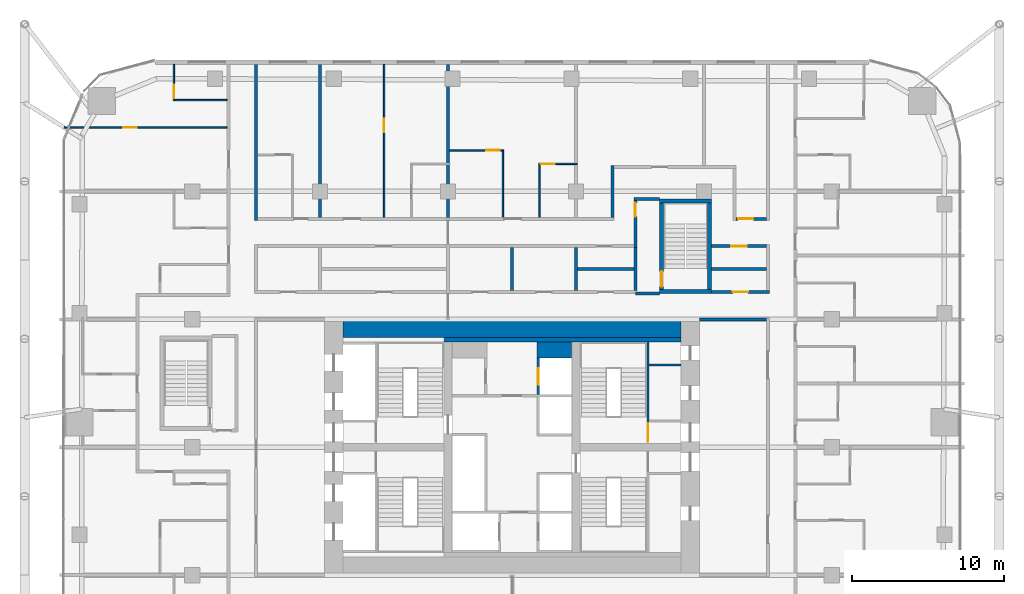
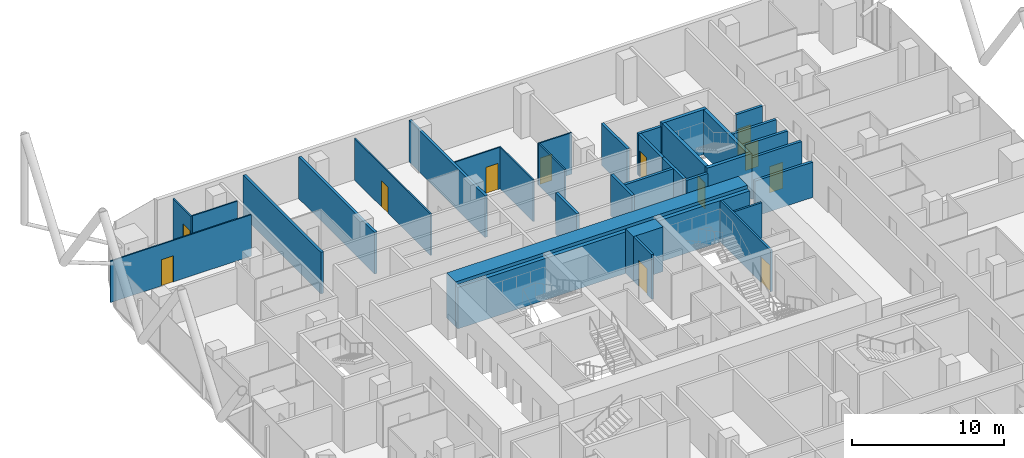
# One storey, part 34 of 38: 34 walls, 12 doors, 12 openings.
"""IFC4 building model written with IfcOpenShell, lengths in metres."""

from ifc_helpers import new_model, si_unit, direction, frame, frame_2d, origin, place, context, subcontext, project, spatial, rectangle, extrude, material, layer, layer_set, type_object, element, fill, save


model = new_model("IFC4")

# Units and contexts
model_context = context("Model", 3, precision=1e-05, world=origin(), true_north=direction((0.0, 1.0)))
body_context = subcontext(model_context, "Body", "Model", "MODEL_VIEW")
ifc_project = project(units=[si_unit("LENGTHUNIT", "METRE"), si_unit("AREAUNIT", "SQUARE_METRE"), si_unit("VOLUMEUNIT", "CUBIC_METRE"), si_unit("PLANEANGLEUNIT", "RADIAN"), si_unit("MASSUNIT", "GRAM", prefix="KILO")], contexts=[model_context])

# Site, building, storey
site_placement = place(None, origin())
site = spatial("IfcSite", under=ifc_project, at=site_placement, CompositionType="ELEMENT")
building_placement = place(site_placement, origin())
building = spatial("IfcBuilding", under=site, at=building_placement, Name="Marenta Gate Hotel Tower", CompositionType="ELEMENT")
storey_placement = place(building_placement, frame((0.0, 0.0, 68.89990234375)))
storey = spatial("IfcBuildingStorey", under=building, at=storey_placement, Name="L15", CompositionType="ELEMENT", Elevation=68.89990234375)

# Walls
ifc_material_1 = material(Name="Concrete blockwork", Category="masonry")
ifc_layer_1 = layer(ifc_material_1, 0.199951171875)
ifc_layer_set_1 = layer_set([ifc_layer_1], Name="Concrete blockwork")
wall_type_1 = type_object("IfcWallType", Name="Compartment wall 200 REI 180", PredefinedType="PARTITIONING", material=ifc_layer_set_1)
wall_1_placement = place(storey_placement, frame((-4.199951171875, 23.5, 0.0), z_axis=(0.0, 0.0, 1.0), x_axis=(0.0, 1.0, 0.0)))
element("IfcWall", 1, at=wall_1_placement, inside=storey, type_object=wall_type_1, Name="L15-PTN-W082", PredefinedType="PARTITIONING", context=body_context, shape_type="SweptSolid", body=[
    extrude(rectangle(XDim=10.0400390625, YDim=0.199951171875, at=frame_2d((5.02001953125, 0.0))), origin(), (0.0, 0.0, 1.0), 3.340087890625),
])
ifc_material_2 = material(Name="Concrete blockwork", Category="masonry")
ifc_layer_2 = layer(ifc_material_2, 0.199951171875)
ifc_layer_set_2 = layer_set([ifc_layer_2], Name="Concrete blockwork")
wall_type_2 = type_object("IfcWallType", Name="Core boundary wall 200 REI 180", PredefinedType="PARTITIONING", material=ifc_layer_set_2)
wall_2_placement = place(storey_placement, frame((12.300048828125, 16.800048828125, 0.0), z_axis=(0.0, 0.0, 1.0), x_axis=(1.0, 0.0, 0.0)))
element("IfcWall", 2, at=wall_2_placement, inside=storey, type_object=wall_type_2, Name="L15-CP-EW-EN", PredefinedType="PARTITIONING", context=body_context, shape_type="SweptSolid", body=[
    extrude(rectangle(XDim=4.39990234375, YDim=0.199951171875, at=frame_2d((2.199951171875, 0.0))), origin(), (0.0, 0.0, 1.0), 2.840087890625),
])
ifc_material_3 = material(Name="Concrete C40", Category="concrete")
ifc_layer_3 = layer(ifc_material_3, 0.300048828125)
ifc_layer_set_3 = layer_set([ifc_layer_3], Name="Concrete C40")
wall_type_3 = type_object("IfcWallType", Name="Core lining wall 300 REI 180", PredefinedType="PARTITIONING", material=ifc_layer_set_3)
wall_3_placement = place(storey_placement, frame((-11.10009765625, 15.449951171875, 0.0), z_axis=(0.0, 0.0, 1.0), x_axis=(1.0, 0.0, 0.0)))
element("IfcWall", 3, at=wall_3_placement, inside=storey, type_object=wall_type_3, Name="L15-CP-LN-N", PredefinedType="PARTITIONING", context=body_context, shape_type="SweptSolid", body=[
    extrude(rectangle(XDim=22.2001953125, YDim=0.300048828125, at=frame_2d((11.10009765625, 0.0))), origin(), (0.0, 0.0, 1.0), 3.340087890625),
])
ifc_material_4 = material(Name="Concrete blockwork", Category="masonry")
ifc_layer_4 = layer(ifc_material_4, 0.14990234375)
ifc_layer_set_4 = layer_set([ifc_layer_4], Name="Concrete blockwork")
wall_type_4 = type_object("IfcWallType", Name="Core room partition 150 REI 180", PredefinedType="PARTITIONING", material=ifc_layer_set_4)
wall_4_placement = place(storey_placement, frame((9.0, 13.800048828125, 0.0), z_axis=(0.0, 0.0, 1.0), x_axis=(1.0, 0.0, 0.0)))
element("IfcWall", 4, at=wall_4_placement, inside=storey, type_object=wall_type_4, Name="L15-CP-RW-EN-1", PredefinedType="PARTITIONING", context=body_context, shape_type="SweptSolid", body=[
    extrude(rectangle(XDim=2.10009765625, YDim=0.14990234375, at=frame_2d((1.050048828125, 0.0))), origin(), (0.0, 0.0, 1.0), 3.340087890625),
])
ifc_material_5 = material(Name="Concrete C40", Category="concrete")
ifc_layer_5 = layer(ifc_material_5, 1.050048828125)
ifc_layer_set_5 = layer_set([ifc_layer_5], Name="Concrete C40")
wall_type_5 = type_object("IfcWallType", Name="Core shaft wall 1050 REI 180", PredefinedType="SHEAR", material=ifc_layer_set_5)
wall_5_placement = place(storey_placement, frame((1.64990234375, 14.77490234375, 0.0), z_axis=(0.0, 0.0, 1.0), x_axis=(1.0, 0.0, 0.0)))
element("IfcWall", 5, at=wall_5_placement, inside=storey, type_object=wall_type_5, Name="L15-SHF-CE-N-top", PredefinedType="SHEAR", context=body_context, shape_type="SweptSolid", body=[
    extrude(rectangle(XDim=2.25, YDim=1.050048828125, at=frame_2d((1.125, 0.0))), origin(), (0.0, 0.0, 1.0), 3.60009765625),
])

# Wall, opening, door
ifc_material_6 = material(Name="Concrete C40", Category="concrete")
ifc_layer_6 = layer(ifc_material_6, 0.14990234375)
ifc_layer_set_6 = layer_set([ifc_layer_6], Name="Concrete C40")
wall_type_6 = type_object("IfcWallType", Name="Core shaft wall 150 REI 180", PredefinedType="SHEAR", material=ifc_layer_set_6)
wall_6_placement = place(storey_placement, frame((1.72509765625, 11.85009765625, 0.0), z_axis=(0.0, 0.0, 1.0), x_axis=(0.0, 1.0, 0.0)))
wall_6 = element("IfcWall", 6, at=wall_6_placement, inside=storey, type_object=wall_type_6, Name="L15-SHF-CE-N-front2", PredefinedType="SHEAR", context=body_context, shape_type="SweptSolid", body=[
    extrude(rectangle(XDim=2.39990234375, YDim=0.14990234375, at=frame_2d((1.199951171875, 0.0))), origin(), (0.0, 0.0, 1.0), 3.60009765625),
])
opening_1_placement = place(wall_6_placement, frame((0.64990234375, 0.0, 0.0)))
opening_1 = element("IfcOpeningElement", 7, at=opening_1_placement, cuts=wall_6, Name="Opening LD-FF2", PredefinedType="OPENING", context=body_context, shape_type="SweptSolid", body=[
    extrude(rectangle(XDim=1.10009765625, YDim=2.10009765625, at=frame_2d((0.550048828125, 1.050048828125))), frame((0.0, 0.074951171875, 0.0), z_axis=(0.0, -1.0, 0.0), x_axis=(1.0, 0.0, 0.0)), (0.0, 0.0, 1.0), 0.14990234375),
])
ifc_material_7 = material(Name="Steel", Category="steel")
door_type_1 = type_object("IfcDoorType", Name="Core lift landing door 1100x2100 E 60", OperationType="SLIDING_TO_LEFT", PredefinedType="DOOR", material=ifc_material_7)
door_1_placement = place(opening_1_placement, origin())
door_1 = element("IfcDoor", 8, at=door_1_placement, inside=storey, type_object=door_type_1, Name="LD-FF2", OperationType="SLIDING_TO_LEFT", OverallHeight=2.10009765625, OverallWidth=1.10009765625, PredefinedType="DOOR", context=body_context, shape_type="SweptSolid", body=[
    extrude(rectangle(XDim=1.10009765625, YDim=2.10009765625, at=frame_2d((0.550048828125, 1.050048828125))), frame((0.0, 0.02490234375, 0.0), z_axis=(0.0, -1.0, 0.0), x_axis=(1.0, 0.0, 0.0)), (0.0, 0.0, 1.0), 0.050048828125),
])
fill(opening_1, door_1)

ifc_material_8 = material(Name="Concrete C40", Category="concrete")
ifc_layer_7 = layer(ifc_material_8, 0.14990234375)
ifc_layer_set_7 = layer_set([ifc_layer_7], Name="Concrete C40")
wall_type_7 = type_object("IfcWallType", Name="Core stair enclosure wall 150 REI 180", PredefinedType="SHEAR", material=ifc_layer_set_7)
wall_7_placement = place(storey_placement, frame((8.925048828125, 8.699951171875, 0.0), z_axis=(0.0, 0.0, 1.0), x_axis=(0.0, 1.0, 0.0)))
wall_7 = element("IfcWall", 9, at=wall_7_placement, inside=storey, type_object=wall_type_7, Name="L15-SHF-SW-EN-3", PredefinedType="SHEAR", context=body_context, shape_type="SweptSolid", body=[
    extrude(rectangle(XDim=6.60009765625, YDim=0.14990234375, at=frame_2d((3.300048828125, 0.0))), origin(), (0.0, 0.0, 1.0), 3.340087890625),
])
opening_2_placement = place(wall_7_placement, frame((0.074951171875, 0.0, 0.0)))
opening_2 = element("IfcOpeningElement", 10, at=opening_2_placement, cuts=wall_7, Name="Opening SD-EN", PredefinedType="OPENING", context=body_context, shape_type="SweptSolid", body=[
    extrude(rectangle(XDim=1.199951171875, YDim=2.10009765625, at=frame_2d((0.60009765625, 1.050048828125))), frame((0.0, 0.074951171875, 0.0), z_axis=(0.0, -1.0, 0.0), x_axis=(1.0, 0.0, 0.0)), (0.0, 0.0, 1.0), 0.14990234375),
])
ifc_material_9 = material(Name="Steel", Category="steel")
door_type_2 = type_object("IfcDoorType", Name="Core stair door 1200x2100 FD60", OperationType="SINGLE_SWING_LEFT", PredefinedType="DOOR", material=ifc_material_9)
door_2_placement = place(opening_2_placement, origin())
door_2 = element("IfcDoor", 11, at=door_2_placement, inside=storey, type_object=door_type_2, Name="SD-EN", OperationType="SINGLE_SWING_LEFT", OverallHeight=2.10009765625, OverallWidth=1.199951171875, PredefinedType="DOOR", context=body_context, shape_type="SweptSolid", body=[
    extrude(rectangle(XDim=1.199951171875, YDim=2.10009765625, at=frame_2d((0.60009765625, 1.050048828125))), frame((0.0, 0.02490234375, 0.0), z_axis=(0.0, -1.0, 0.0), x_axis=(1.0, 0.0, 0.0)), (0.0, 0.0, 1.0), 0.050048828125),
])
fill(opening_2, door_2)

# Walls
ifc_material_10 = material(Name="Concrete C80", Category="concrete")
ifc_layer_8 = layer(ifc_material_10, 1.199951171875)
ifc_layer_set_8 = layer_set([ifc_layer_8], Name="Concrete C80")
wall_type_8 = type_object("IfcWallType", Name="Core wall 1200 C80", PredefinedType="SHEAR", material=ifc_layer_set_8)
wall_8_placement = place(storey_placement, frame((-11.10009765625, 16.199951171875, 0.0), z_axis=(0.0, 0.0, 1.0), x_axis=(1.0, 0.0, 0.0)))
element("IfcWall", 12, at=wall_8_placement, inside=storey, type_object=wall_type_8, Name="L15-CORE-N", PredefinedType="SHEAR", context=body_context, shape_type="SweptSolid", body=[
    extrude(rectangle(XDim=22.2001953125, YDim=1.199951171875, at=frame_2d((11.10009765625, 0.0))), origin(), (0.0, 0.0, 1.0), 3.60009765625),
])
ifc_material_11 = material(Name="Concrete C40", Category="concrete")
ifc_layer_9 = layer(ifc_material_11, 0.25)
ifc_layer_set_9 = layer_set([ifc_layer_9], Name="Concrete C40")
wall_type_9 = type_object("IfcWallType", Name="Remote stair enclosure wall 250 REI 180", PredefinedType="SHEAR", material=ifc_layer_set_9)
for number, where, z_axis, x_axis, name in (
    (13, (9.699951171875, 18.625, 0.10009765625), (0.0, 0.0, 1.0), (1.0, 0.0, 0.0), "L15-RS-Z1-4-W1"),
    (14, (9.699951171875, 24.574951171875, 0.10009765625), (0.0, 0.0, 1.0), (1.0, 0.0, 0.0), "L15-RS-Z1-4-W2"),
):
    element("IfcWall", number, at=place(storey_placement, frame(where, z_axis=z_axis, x_axis=x_axis)), inside=storey, type_object=wall_type_9, Name=name, PredefinedType="SHEAR", context=body_context, shape_type="SweptSolid", body=[
        extrude(rectangle(XDim=3.400146484375, YDim=0.25, at=frame_2d((1.7001953125, 0.0))), origin(), (0.0, 0.0, 1.0), 3.60009765625),
    ])

# Wall, opening, door
wall_9_placement = place(storey_placement, frame((9.824951171875, 18.75, 0.10009765625), z_axis=(0.0, 0.0, 1.0), x_axis=(0.0, 1.0, 0.0)))
wall_9 = element("IfcWall", 15, at=wall_9_placement, inside=storey, type_object=wall_type_9, Name="L15-RS-Z1-4-W3", PredefinedType="SHEAR", context=body_context, shape_type="SweptSolid", body=[
    extrude(rectangle(XDim=5.699951171875, YDim=0.25, at=frame_2d((2.85009765625, 0.0))), origin(), (0.0, 0.0, 1.0), 3.60009765625),
])
opening_3_placement = place(wall_9_placement, frame((0.199951171875, 0.0, 0.0)))
opening_3 = element("IfcOpeningElement", 16, at=opening_3_placement, cuts=wall_9, Name="Opening VD", PredefinedType="OPENING", context=body_context, shape_type="SweptSolid", body=[
    extrude(rectangle(XDim=1.0, YDim=2.10009765625, at=frame_2d((0.5, 1.050048828125))), frame((0.0, 0.125, 0.0), z_axis=(0.0, -1.0, 0.0), x_axis=(1.0, 0.0, 0.0)), (0.0, 0.0, 1.0), 0.25),
])
ifc_material_12 = material(Name="Steel", Category="steel")
door_type_3 = type_object("IfcDoorType", Name="Stair vestibule door 1000x2100 FD60", OperationType="SINGLE_SWING_LEFT", PredefinedType="DOOR", material=ifc_material_12)
door_3_placement = place(opening_3_placement, origin())
door_3 = element("IfcDoor", 17, at=door_3_placement, inside=storey, type_object=door_type_3, Name="VD", OperationType="SINGLE_SWING_LEFT", OverallHeight=2.10009765625, OverallWidth=1.0, PredefinedType="DOOR", context=body_context, shape_type="SweptSolid", body=[
    extrude(rectangle(XDim=1.0, YDim=2.10009765625, at=frame_2d((0.5, 1.050048828125))), frame((0.0, 0.02490234375, 0.0), z_axis=(0.0, -1.0, 0.0), x_axis=(1.0, 0.0, 0.0)), (0.0, 0.0, 1.0), 0.050048828125),
])
fill(opening_3, door_3)

# Walls
wall_10_placement = place(storey_placement, frame((12.97509765625, 18.75, 0.10009765625), z_axis=(0.0, 0.0, 1.0), x_axis=(0.0, 1.0, 0.0)))
element("IfcWall", 18, at=wall_10_placement, inside=storey, type_object=wall_type_9, Name="L15-RS-Z1-4-W4", PredefinedType="SHEAR", context=body_context, shape_type="SweptSolid", body=[
    extrude(rectangle(XDim=5.699951171875, YDim=0.25, at=frame_2d((2.85009765625, 0.0))), origin(), (0.0, 0.0, 1.0), 3.60009765625),
])
ifc_material_13 = material(Name="Gypsum board on steel stud", Category="steel")
ifc_layer_10 = layer(ifc_material_13, 0.199951171875)
ifc_layer_set_10 = layer_set([ifc_layer_10], Name="Gypsum board on steel stud")
wall_type_10 = type_object("IfcWallType", Name="Room corridor wall 200 EI 60", PredefinedType="PARTITIONING", material=ifc_layer_set_10)
wall_11_placement = place(storey_placement, frame((6.60009765625, 23.5, 0.0), z_axis=(0.0, 0.0, 1.0), x_axis=(0.0, 1.0, 0.0)))
element("IfcWall", 19, at=wall_11_placement, inside=storey, type_object=wall_type_10, Name="L15-PTN-W050", PredefinedType="PARTITIONING", context=body_context, shape_type="SweptSolid", body=[
    extrude(rectangle(XDim=3.39990234375, YDim=0.199951171875, at=frame_2d((1.699951171875, 0.0))), origin(), (0.0, 0.0, 1.0), 3.340087890625),
])
wall_12_placement = place(storey_placement, frame((-16.800048828125, 23.300048828125, 0.0), z_axis=(0.0, 0.0, 1.0), x_axis=(0.0, 1.0, 0.0)))
element("IfcWall", 20, at=wall_12_placement, inside=storey, type_object=wall_type_10, Name="L15-PTN-W109", PredefinedType="PARTITIONING", context=body_context, shape_type="SweptSolid", body=[
    extrude(rectangle(XDim=10.239990234375, YDim=0.199951171875, at=frame_2d((5.1201171875, 0.0))), origin(), (0.0, 0.0, 1.0), 3.340087890625),
])

# Wall, opening, door
wall_13_placement = place(storey_placement, frame((13.10009765625, 18.60009765625, 0.0), z_axis=(0.0, 0.0, 1.0), x_axis=(1.0, 0.0, 0.0)))
wall_13 = element("IfcWall", 21, at=wall_13_placement, inside=storey, type_object=wall_type_10, Name="L15-PTN-W118", PredefinedType="PARTITIONING", context=body_context, shape_type="SweptSolid", body=[
    extrude(rectangle(XDim=3.7998046875, YDim=0.199951171875, at=frame_2d((1.89990234375, 0.0))), origin(), (0.0, 0.0, 1.0), 3.340087890625),
])
opening_4_placement = place(wall_13_placement, frame((1.39990234375, 0.0, 0.0)))
opening_4 = element("IfcOpeningElement", 22, at=opening_4_placement, cuts=wall_13, Name="Opening G05-76", PredefinedType="OPENING", context=body_context, shape_type="SweptSolid", body=[
    extrude(rectangle(XDim=1.0, YDim=2.10009765625, at=frame_2d((0.5, 1.050048828125))), frame((0.0, 0.10009765625, 0.0), z_axis=(0.0, -1.0, 0.0), x_axis=(1.0, 0.0, 0.0)), (0.0, 0.0, 1.0), 0.199951171875),
])
ifc_material_14 = material(Name="Timber door leaf", Category="wood")
door_type_4 = type_object("IfcDoorType", Name="Room amenity door 1000x2100 EI 30", OperationType="NOTDEFINED", PredefinedType="DOOR", material=ifc_material_14)
door_4_placement = place(opening_4_placement, origin())
door_4 = element("IfcDoor", 23, at=door_4_placement, inside=storey, type_object=door_type_4, Name="L15-PD-D076", OperationType="SINGLE_SWING_LEFT", OverallHeight=2.10009765625, OverallWidth=1.0, PredefinedType="DOOR", context=body_context, shape_type="SweptSolid", body=[
    extrude(rectangle(XDim=1.0, YDim=2.10009765625, at=frame_2d((0.5, 1.050048828125))), frame((0.0, 0.02490234375, 0.0), z_axis=(0.0, -1.0, 0.0), x_axis=(1.0, 0.0, 0.0)), (0.0, 0.0, 1.0), 0.050048828125),
])
fill(opening_4, door_4)

wall_14_placement = place(storey_placement, frame((13.10009765625, 21.60009765625, 0.0), z_axis=(0.0, 0.0, 1.0), x_axis=(1.0, 0.0, 0.0)))
wall_14 = element("IfcWall", 24, at=wall_14_placement, inside=storey, type_object=wall_type_10, Name="L15-PTN-W128", PredefinedType="PARTITIONING", context=body_context, shape_type="SweptSolid", body=[
    extrude(rectangle(XDim=3.599853515625, YDim=0.199951171875, at=frame_2d((1.7998046875, 0.0))), origin(), (0.0, 0.0, 1.0), 3.340087890625),
])
opening_5_placement = place(wall_14_placement, frame((1.300048828125, 0.0, 0.0)))
opening_5 = element("IfcOpeningElement", 25, at=opening_5_placement, cuts=wall_14, Name="Opening G05-77", PredefinedType="OPENING", context=body_context, shape_type="SweptSolid", body=[
    extrude(rectangle(XDim=1.0, YDim=2.10009765625, at=frame_2d((0.5, 1.050048828125))), frame((0.0, 0.10009765625, 0.0), z_axis=(0.0, -1.0, 0.0), x_axis=(1.0, 0.0, 0.0)), (0.0, 0.0, 1.0), 0.199951171875),
])
door_5_placement = place(opening_5_placement, origin())
door_5 = element("IfcDoor", 26, at=door_5_placement, inside=storey, type_object=door_type_4, Name="L15-PD-D077", OperationType="SINGLE_SWING_RIGHT", OverallHeight=2.10009765625, OverallWidth=1.0, PredefinedType="DOOR", context=body_context, shape_type="SweptSolid", body=[
    extrude(rectangle(XDim=1.0, YDim=2.10009765625, at=frame_2d((0.5, 1.050048828125))), frame((0.0, 0.02490234375, 0.0), z_axis=(0.0, -1.0, 0.0), x_axis=(1.0, 0.0, 0.0)), (0.0, 0.0, 1.0), 0.050048828125),
])
fill(opening_5, door_5)

wall_15_placement = place(storey_placement, frame((14.699951171875, 23.39990234375, 0.0), z_axis=(0.0, 0.0, 1.0), x_axis=(1.0, 0.0, 0.0)))
wall_15 = element("IfcWall", 27, at=wall_15_placement, inside=storey, type_object=wall_type_10, Name="L15-PTN-W138", PredefinedType="PARTITIONING", context=body_context, shape_type="SweptSolid", body=[
    extrude(rectangle(XDim=2.0, YDim=0.199951171875, at=frame_2d((1.0, 0.0))), origin(), (0.0, 0.0, 1.0), 3.340087890625),
])
opening_6_placement = place(wall_15_placement, frame((0.14990234375, 0.0, 0.0)))
opening_6 = element("IfcOpeningElement", 28, at=opening_6_placement, cuts=wall_15, Name="Opening G05-34", PredefinedType="OPENING", context=body_context, shape_type="SweptSolid", body=[
    extrude(rectangle(XDim=1.0, YDim=2.10009765625, at=frame_2d((0.5, 1.050048828125))), frame((0.0, 0.10009765625, 0.0), z_axis=(0.0, -1.0, 0.0), x_axis=(1.0, 0.0, 0.0)), (0.0, 0.0, 1.0), 0.199951171875),
])
door_6_placement = place(opening_6_placement, origin())
door_6 = element("IfcDoor", 29, at=door_6_placement, inside=storey, type_object=door_type_4, Name="L15-PD-D034", OperationType="SINGLE_SWING_LEFT", OverallHeight=2.10009765625, OverallWidth=1.0, PredefinedType="DOOR", context=body_context, shape_type="SweptSolid", body=[
    extrude(rectangle(XDim=1.0, YDim=2.10009765625, at=frame_2d((0.5, 1.050048828125))), frame((0.0, 0.02490234375, 0.0), z_axis=(0.0, -1.0, 0.0), x_axis=(1.0, 0.0, 0.0)), (0.0, 0.0, 1.0), 0.050048828125),
])
fill(opening_6, door_6)

ifc_material_15 = material(Name="Concrete blockwork", Category="masonry")
ifc_layer_11 = layer(ifc_material_15, 0.199951171875)
ifc_layer_set_11 = layer_set([ifc_layer_11], Name="Concrete blockwork")
wall_type_11 = type_object("IfcWallType", Name="Room corridor wall 200 REI 180", PredefinedType="PARTITIONING", material=ifc_layer_set_11)
wall_16_placement = place(storey_placement, frame((8.10009765625, 21.5, 0.0), z_axis=(0.0, 0.0, 1.0), x_axis=(0.0, 1.0, 0.0)))
wall_16 = element("IfcWall", 30, at=wall_16_placement, inside=storey, type_object=wall_type_11, Name="L15-PTN-W048", PredefinedType="PARTITIONING", context=body_context, shape_type="SweptSolid", body=[
    extrude(rectangle(XDim=3.10009765625, YDim=0.199951171875, at=frame_2d((1.550048828125, 0.0))), origin(), (0.0, 0.0, 1.0), 3.340087890625),
])
opening_7_placement = place(wall_16_placement, frame((2.050048828125, 0.0, 0.0)))
opening_7 = element("IfcOpeningElement", 31, at=opening_7_placement, cuts=wall_16, Name="Opening G05-69", PredefinedType="OPENING", context=body_context, shape_type="SweptSolid", body=[
    extrude(rectangle(XDim=0.89990234375, YDim=2.10009765625, at=frame_2d((0.449951171875, 1.050048828125))), frame((0.0, 0.10009765625, 0.0), z_axis=(0.0, -1.0, 0.0), x_axis=(1.0, 0.0, 0.0)), (0.0, 0.0, 1.0), 0.199951171875),
])
ifc_material_16 = material(Name="Hollow steel door set", Category="steel")
door_type_5 = type_object("IfcDoorType", Name="Stair vestibule door 900x2100 EI 60", OperationType="NOTDEFINED", PredefinedType="DOOR", material=ifc_material_16)
door_7_placement = place(opening_7_placement, origin())
door_7 = element("IfcDoor", 32, at=door_7_placement, inside=storey, type_object=door_type_5, Name="L15-PD-D069", OperationType="SINGLE_SWING_LEFT", OverallHeight=2.10009765625, OverallWidth=0.89990234375, PredefinedType="DOOR", context=body_context, shape_type="SweptSolid", body=[
    extrude(rectangle(XDim=0.89990234375, YDim=2.10009765625, at=frame_2d((0.449951171875, 1.050048828125))), frame((0.0, 0.02490234375, 0.0), z_axis=(0.0, -1.0, 0.0), x_axis=(1.0, 0.0, 0.0)), (0.0, 0.0, 1.0), 0.050048828125),
])
fill(opening_7, door_7)

# Walls
wall_17_placement = place(storey_placement, frame((8.10009765625, 18.5, 0.0), z_axis=(0.0, 0.0, 1.0), x_axis=(1.0, 0.0, 0.0)))
element("IfcWall", 33, at=wall_17_placement, inside=storey, type_object=wall_type_11, Name="L15-PTN-W114", PredefinedType="PARTITIONING", context=body_context, shape_type="SweptSolid", body=[
    extrude(rectangle(XDim=1.599853515625, YDim=0.199951171875, at=frame_2d((0.7998046875, 0.0))), origin(), (0.0, 0.0, 1.0), 3.340087890625),
])
wall_18_placement = place(storey_placement, frame((8.0, 24.699951171875, 0.0), z_axis=(0.0, 0.0, 1.0), x_axis=(1.0, 0.0, 0.0)))
element("IfcWall", 34, at=wall_18_placement, inside=storey, type_object=wall_type_11, Name="L15-PTN-W140", PredefinedType="PARTITIONING", context=body_context, shape_type="SweptSolid", body=[
    extrude(rectangle(XDim=1.699951171875, YDim=0.199951171875, at=frame_2d((0.85009765625, 0.0))), origin(), (0.0, 0.0, 1.0), 3.340087890625),
])
ifc_material_17 = material(Name="Gypsum board on steel stud", Category="steel")
ifc_layer_12 = layer(ifc_material_17, 0.10009765625)
ifc_layer_set_12 = layer_set([ifc_layer_12], Name="Gypsum board on steel stud")
wall_type_12 = type_object("IfcWallType", Name="Room partition 100", PredefinedType="PARTITIONING", material=ifc_layer_set_12)
wall_19_placement = place(storey_placement, frame((1.800048828125, 23.5, 0.0), z_axis=(0.0, 0.0, 1.0), x_axis=(0.0, 1.0, 0.0)))
element("IfcWall", 35, at=wall_19_placement, inside=storey, type_object=wall_type_12, Name="L15-PTN-W067", PredefinedType="PARTITIONING", context=body_context, shape_type="SweptSolid", body=[
    extrude(rectangle(XDim=3.449951171875, YDim=0.10009765625, at=frame_2d((1.72509765625, 0.0))), origin(), (0.0, 0.0, 1.0), 3.340087890625),
])
wall_20_placement = place(storey_placement, frame((-0.60009765625, 23.5, 0.0), z_axis=(0.0, 0.0, 1.0), x_axis=(0.0, 1.0, 0.0)))
element("IfcWall", 36, at=wall_20_placement, inside=storey, type_object=wall_type_12, Name="L15-PTN-W076", PredefinedType="PARTITIONING", context=body_context, shape_type="SweptSolid", body=[
    extrude(rectangle(XDim=4.449951171875, YDim=0.10009765625, at=frame_2d((2.22509765625, 0.0))), origin(), (0.0, 0.0, 1.0), 3.340087890625),
])

# Wall, opening, door
wall_21_placement = place(storey_placement, frame((-8.39990234375, 23.5, 0.0), z_axis=(0.0, 0.0, 1.0), x_axis=(0.0, 1.0, 0.0)))
wall_21 = element("IfcWall", 37, at=wall_21_placement, inside=storey, type_object=wall_type_12, Name="L15-PTN-W090", PredefinedType="PARTITIONING", context=body_context, shape_type="SweptSolid", body=[
    extrude(rectangle(XDim=10.0400390625, YDim=0.10009765625, at=frame_2d((5.02001953125, 0.0))), origin(), (0.0, 0.0, 1.0), 3.340087890625),
])
opening_8_placement = place(wall_21_placement, frame((5.570068359375, 0.0, 0.0)))
opening_8 = element("IfcOpeningElement", 38, at=opening_8_placement, cuts=wall_21, Name="Opening G05-29", PredefinedType="OPENING", context=body_context, shape_type="SweptSolid", body=[
    extrude(rectangle(XDim=0.89990234375, YDim=2.10009765625, at=frame_2d((0.449951171875, 1.050048828125))), frame((0.0, 0.050048828125, 0.0), z_axis=(0.0, -1.0, 0.0), x_axis=(1.0, 0.0, 0.0)), (0.0, 0.0, 1.0), 0.10009765625),
])
ifc_material_18 = material(Name="Timber door leaf", Category="wood")
door_type_6 = type_object("IfcDoorType", Name="Room inner door 900x2100", OperationType="NOTDEFINED", PredefinedType="DOOR", material=ifc_material_18)
door_8_placement = place(opening_8_placement, origin())
door_8 = element("IfcDoor", 39, at=door_8_placement, inside=storey, type_object=door_type_6, Name="L15-PD-D029", OperationType="SINGLE_SWING_RIGHT", OverallHeight=2.10009765625, OverallWidth=0.89990234375, PredefinedType="DOOR", context=body_context, shape_type="SweptSolid", body=[
    extrude(rectangle(XDim=0.89990234375, YDim=2.10009765625, at=frame_2d((0.449951171875, 1.050048828125))), frame((0.0, 0.02490234375, 0.0), z_axis=(0.0, -1.0, 0.0), x_axis=(1.0, 0.0, 0.0)), (0.0, 0.0, 1.0), 0.050048828125),
])
fill(opening_8, door_8)

wall_22_placement = place(storey_placement, frame((-22.199951171875, 31.14990234375, 0.0), z_axis=(0.0, 0.0, 1.0), x_axis=(0.0, 1.0, 0.0)))
wall_22 = element("IfcWall", 40, at=wall_22_placement, inside=storey, type_object=wall_type_12, Name="L15-PTN-W132", PredefinedType="PARTITIONING", context=body_context, shape_type="SweptSolid", body=[
    extrude(rectangle(XDim=2.39013671875, YDim=0.10009765625, at=frame_2d((1.195068359375, 0.0))), origin(), (0.0, 0.0, 1.0), 3.340087890625),
])
opening_9_placement = place(wall_22_placement, frame((0.14990234375, 0.0, 0.0)))
opening_9 = element("IfcOpeningElement", 41, at=opening_9_placement, cuts=wall_22, Name="Opening G05-65", PredefinedType="OPENING", context=body_context, shape_type="SweptSolid", body=[
    extrude(rectangle(XDim=0.89990234375, YDim=2.10009765625, at=frame_2d((0.449951171875, 1.050048828125))), frame((0.0, 0.050048828125, 0.0), z_axis=(0.0, -1.0, 0.0), x_axis=(1.0, 0.0, 0.0)), (0.0, 0.0, 1.0), 0.10009765625),
])
ifc_material_19 = material(Name="Timber door leaf", Category="wood")
door_type_7 = type_object("IfcDoorType", Name="Guest bathroom door 900x2100", OperationType="NOTDEFINED", PredefinedType="DOOR", material=ifc_material_19)
door_9_placement = place(opening_9_placement, origin())
door_9 = element("IfcDoor", 42, at=door_9_placement, inside=storey, type_object=door_type_7, Name="L15-PD-D065", OperationType="SINGLE_SWING_RIGHT", OverallHeight=2.10009765625, OverallWidth=0.89990234375, PredefinedType="DOOR", context=body_context, shape_type="SweptSolid", body=[
    extrude(rectangle(XDim=0.89990234375, YDim=2.10009765625, at=frame_2d((0.449951171875, 1.050048828125))), frame((0.0, 0.02490234375, 0.0), z_axis=(0.0, -1.0, 0.0), x_axis=(1.0, 0.0, 0.0)), (0.0, 0.0, 1.0), 0.050048828125),
])
fill(opening_9, door_9)

wall_23_placement = place(storey_placement, frame((1.75, 27.0, 0.0), z_axis=(0.0, 0.0, 1.0), x_axis=(1.0, 0.0, 0.0)))
wall_23 = element("IfcWall", 43, at=wall_23_placement, inside=storey, type_object=wall_type_12, Name="L15-PTN-W145", PredefinedType="PARTITIONING", context=body_context, shape_type="SweptSolid", body=[
    extrude(rectangle(XDim=2.550048828125, YDim=0.10009765625, at=frame_2d((1.27490234375, 0.0))), origin(), (0.0, 0.0, 1.0), 3.340087890625),
])
opening_10_placement = place(wall_23_placement, frame((0.14990234375, 0.0, 0.0)))
opening_10 = element("IfcOpeningElement", 44, at=opening_10_placement, cuts=wall_23, Name="Opening G05-33", PredefinedType="OPENING", context=body_context, shape_type="SweptSolid", body=[
    extrude(rectangle(XDim=0.89990234375, YDim=2.10009765625, at=frame_2d((0.449951171875, 1.050048828125))), frame((0.0, 0.050048828125, 0.0), z_axis=(0.0, -1.0, 0.0), x_axis=(1.0, 0.0, 0.0)), (0.0, 0.0, 1.0), 0.10009765625),
])
door_10_placement = place(opening_10_placement, origin())
door_10 = element("IfcDoor", 45, at=door_10_placement, inside=storey, type_object=door_type_6, Name="L15-PD-D033", OperationType="SINGLE_SWING_RIGHT", OverallHeight=2.10009765625, OverallWidth=0.89990234375, PredefinedType="DOOR", context=body_context, shape_type="SweptSolid", body=[
    extrude(rectangle(XDim=0.89990234375, YDim=2.10009765625, at=frame_2d((0.449951171875, 1.050048828125))), frame((0.0, 0.02490234375, 0.0), z_axis=(0.0, -1.0, 0.0), x_axis=(1.0, 0.0, 0.0)), (0.0, 0.0, 1.0), 0.050048828125),
])
fill(opening_10, door_10)

wall_24_placement = place(storey_placement, frame((-4.10009765625, 27.89990234375, 0.0), z_axis=(0.0, 0.0, 1.0), x_axis=(1.0, 0.0, 0.0)))
wall_24 = element("IfcWall", 46, at=wall_24_placement, inside=storey, type_object=wall_type_12, Name="L15-PTN-W148", PredefinedType="PARTITIONING", context=body_context, shape_type="SweptSolid", body=[
    extrude(rectangle(XDim=3.4501953125, YDim=0.10009765625, at=frame_2d((1.72509765625, 0.0))), origin(), (0.0, 0.0, 1.0), 3.340087890625),
])
opening_11_placement = place(wall_24_placement, frame((2.39990234375, 0.0, 0.0)))
opening_11 = element("IfcOpeningElement", 47, at=opening_11_placement, cuts=wall_24, Name="Opening G05-32", PredefinedType="OPENING", context=body_context, shape_type="SweptSolid", body=[
    extrude(rectangle(XDim=0.89990234375, YDim=2.10009765625, at=frame_2d((0.449951171875, 1.050048828125))), frame((0.0, 0.050048828125, 0.0), z_axis=(0.0, -1.0, 0.0), x_axis=(1.0, 0.0, 0.0)), (0.0, 0.0, 1.0), 0.10009765625),
])
door_11_placement = place(opening_11_placement, origin())
door_11 = element("IfcDoor", 48, at=door_11_placement, inside=storey, type_object=door_type_7, Name="L15-PD-D032", OperationType="SINGLE_SWING_LEFT", OverallHeight=2.10009765625, OverallWidth=0.89990234375, PredefinedType="DOOR", context=body_context, shape_type="SweptSolid", body=[
    extrude(rectangle(XDim=0.89990234375, YDim=2.10009765625, at=frame_2d((0.449951171875, 1.050048828125))), frame((0.0, 0.02490234375, 0.0), z_axis=(0.0, -1.0, 0.0), x_axis=(1.0, 0.0, 0.0)), (0.0, 0.0, 1.0), 0.050048828125),
])
fill(opening_11, door_11)

wall_25_placement = place(storey_placement, frame((-29.39306640625, 29.39990234375, 0.0), z_axis=(0.0, 0.0, 1.0), x_axis=(1.0, 0.0, 0.0)))
wall_25 = element("IfcWall", 49, at=wall_25_placement, inside=storey, type_object=wall_type_12, Name="L15-PTN-W151", PredefinedType="PARTITIONING", context=body_context, shape_type="SweptSolid", body=[
    extrude(rectangle(XDim=10.693115234375, YDim=0.10009765625, at=frame_2d((5.3466796875, 0.0))), origin(), (0.0, 0.0, 1.0), 3.340087890625),
])
opening_12_placement = place(wall_25_placement, frame((3.863037109375, 0.0, 0.0)))
opening_12 = element("IfcOpeningElement", 50, at=opening_12_placement, cuts=wall_25, Name="Opening G05-64", PredefinedType="OPENING", context=body_context, shape_type="SweptSolid", body=[
    extrude(rectangle(XDim=0.89990234375, YDim=2.10009765625, at=frame_2d((0.449951171875, 1.050048828125))), frame((0.0, 0.050048828125, 0.0), z_axis=(0.0, -1.0, 0.0), x_axis=(1.0, 0.0, 0.0)), (0.0, 0.0, 1.0), 0.10009765625),
])
door_12_placement = place(opening_12_placement, origin())
door_12 = element("IfcDoor", 51, at=door_12_placement, inside=storey, type_object=door_type_6, Name="L15-PD-D064", OperationType="SINGLE_SWING_LEFT", OverallHeight=2.10009765625, OverallWidth=0.89990234375, PredefinedType="DOOR", context=body_context, shape_type="SweptSolid", body=[
    extrude(rectangle(XDim=0.89990234375, YDim=2.10009765625, at=frame_2d((0.449951171875, 1.050048828125))), frame((0.0, 0.02490234375, 0.0), z_axis=(0.0, -1.0, 0.0), x_axis=(1.0, 0.0, 0.0)), (0.0, 0.0, 1.0), 0.050048828125),
])
fill(opening_12, door_12)

# Walls
wall_26_placement = place(storey_placement, frame((-22.14990234375, 31.199951171875, 0.0), z_axis=(0.0, 0.0, 1.0), x_axis=(1.0, 0.0, 0.0)))
element("IfcWall", 52, at=wall_26_placement, inside=storey, type_object=wall_type_12, Name="L15-PTN-W153", PredefinedType="PARTITIONING", context=body_context, shape_type="SweptSolid", body=[
    extrude(rectangle(XDim=3.449951171875, YDim=0.10009765625, at=frame_2d((1.72509765625, 0.0))), origin(), (0.0, 0.0, 1.0), 3.340087890625),
])
ifc_material_20 = material(Name="Gypsum board on steel stud", Category="steel")
ifc_layer_13 = layer(ifc_material_20, 0.199951171875)
ifc_layer_set_13 = layer_set([ifc_layer_13], Name="Gypsum board on steel stud")
wall_type_13 = type_object("IfcWallType", Name="Room party wall 200 EI 60", PredefinedType="PARTITIONING", material=ifc_layer_set_13)
for number, where, z_axis, x_axis, name in (
    (53, (4.199951171875, 18.699951171875, 0.0), (0.0, 0.0, 1.0), (0.0, 1.0, 0.0), "L15-PTN-W058"),
    (54, (0.0, 18.699951171875, 0.0), (0.0, 0.0, 1.0), (0.0, 1.0, 0.0), "L15-PTN-W073"),
):
    element("IfcWall", number, at=place(storey_placement, frame(where, z_axis=z_axis, x_axis=x_axis)), inside=storey, type_object=wall_type_13, Name=name, PredefinedType="PARTITIONING", context=body_context, shape_type="SweptSolid", body=[
        extrude(rectangle(XDim=2.800048828125, YDim=0.199951171875, at=frame_2d((1.39990234375, 0.0))), origin(), (0.0, 0.0, 1.0), 3.340087890625),
    ])
wall_27_placement = place(storey_placement, frame((-12.60009765625, 23.5, 0.0), z_axis=(0.0, 0.0, 1.0), x_axis=(0.0, 1.0, 0.0)))
element("IfcWall", 55, at=wall_27_placement, inside=storey, type_object=wall_type_13, Name="L15-PTN-W099", PredefinedType="PARTITIONING", context=body_context, shape_type="SweptSolid", body=[
    extrude(rectangle(XDim=10.0400390625, YDim=0.199951171875, at=frame_2d((5.02001953125, 0.0))), origin(), (0.0, 0.0, 1.0), 3.340087890625),
])
wall_28_placement = place(storey_placement, frame((4.10009765625, 20.10009765625, 0.0), z_axis=(0.0, 0.0, 1.0), x_axis=(1.0, 0.0, 0.0)))
element("IfcWall", 56, at=wall_28_placement, inside=storey, type_object=wall_type_13, Name="L15-PTN-W121", PredefinedType="PARTITIONING", context=body_context, shape_type="SweptSolid", body=[
    extrude(rectangle(XDim=3.89990234375, YDim=0.199951171875, at=frame_2d((1.949951171875, 0.0))), origin(), (0.0, 0.0, 1.0), 3.340087890625),
])
wall_29_placement = place(storey_placement, frame((13.10009765625, 20.10009765625, 0.0), z_axis=(0.0, 0.0, 1.0), x_axis=(1.0, 0.0, 0.0)))
element("IfcWall", 57, at=wall_29_placement, inside=storey, type_object=wall_type_13, Name="L15-PTN-W122", PredefinedType="PARTITIONING", context=body_context, shape_type="SweptSolid", body=[
    extrude(rectangle(XDim=3.599853515625, YDim=0.199951171875, at=frame_2d((1.7998046875, 0.0))), origin(), (0.0, 0.0, 1.0), 3.340087890625),
])
ifc_material_21 = material(Name="Concrete blockwork", Category="masonry")
ifc_layer_14 = layer(ifc_material_21, 0.199951171875)
ifc_layer_set_14 = layer_set([ifc_layer_14], Name="Concrete blockwork")
wall_type_14 = type_object("IfcWallType", Name="Room party wall 200 REI 180", PredefinedType="PARTITIONING", material=ifc_layer_set_14)
wall_30_placement = place(storey_placement, frame((8.10009765625, 18.699951171875, 0.0), z_axis=(0.0, 0.0, 1.0), x_axis=(0.0, 1.0, 0.0)))
element("IfcWall", 58, at=wall_30_placement, inside=storey, type_object=wall_type_14, Name="L15-PTN-W047", PredefinedType="PARTITIONING", context=body_context, shape_type="SweptSolid", body=[
    extrude(rectangle(XDim=2.800048828125, YDim=0.199951171875, at=frame_2d((1.39990234375, 0.0))), origin(), (0.0, 0.0, 1.0), 3.340087890625),
])

save(model, "model.ifc")
